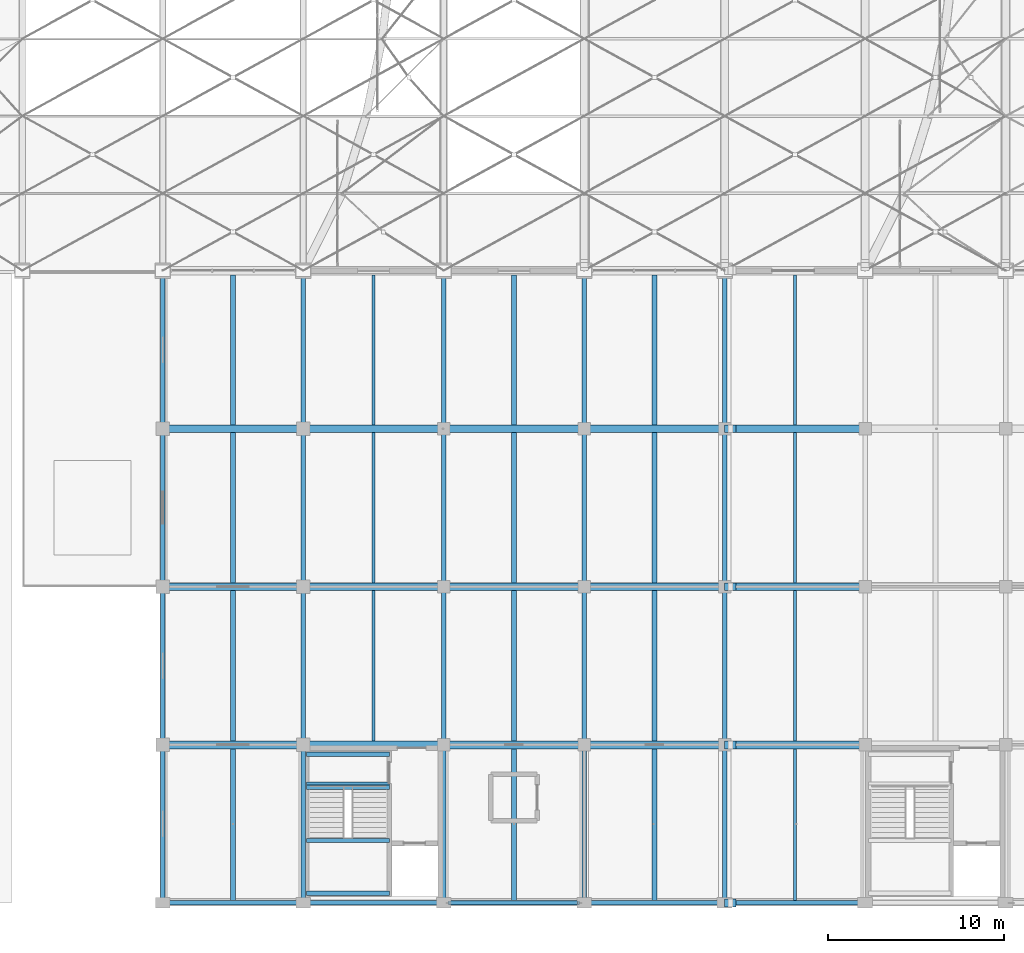
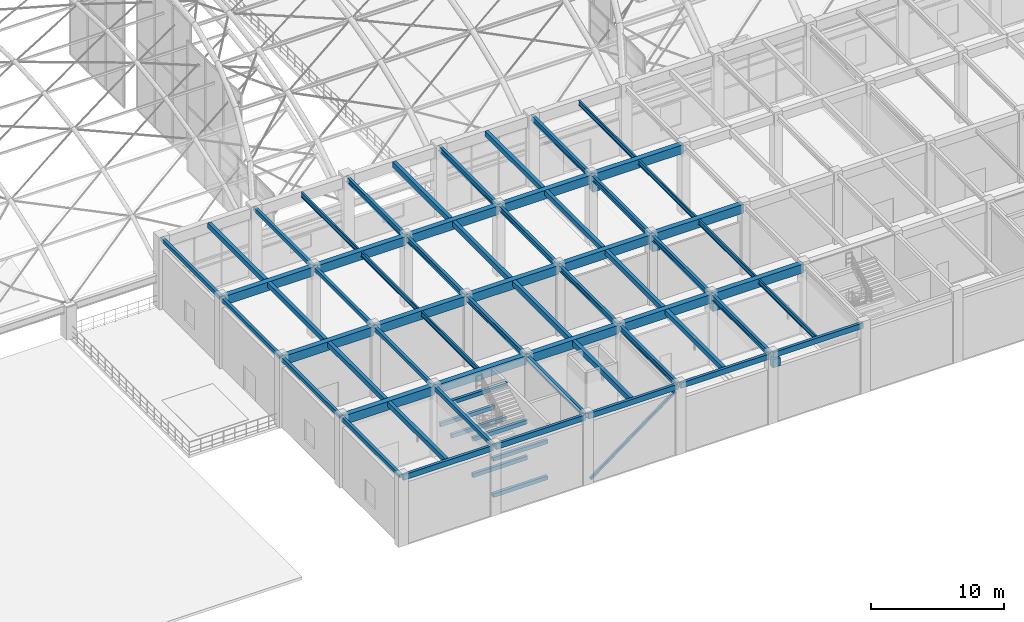
# One storey, part 8 of 163: 70 beams, 1 member.
"""IFC4 building model written with IfcOpenShell, lengths in metres."""

from ifc_helpers import new_model, si_unit, direction, frame, origin, origin_2d, place, context, subcontext, project, spatial, rectangle, hollow_rectangle, i_section, extrude, material, material_profile, profile_set, type_object, element, save


model = new_model("IFC4")

# Units and contexts
model_context = context("Model", 3, precision=1e-05, world=origin(), true_north=direction((0.0, 1.0)))
body_context = subcontext(model_context, "Body", "Model", "MODEL_VIEW")
ifc_project = project(units=[si_unit("LENGTHUNIT", "METRE"), si_unit("AREAUNIT", "SQUARE_METRE"), si_unit("VOLUMEUNIT", "CUBIC_METRE"), si_unit("PLANEANGLEUNIT", "RADIAN"), si_unit("MASSUNIT", "GRAM", prefix="KILO")], contexts=[model_context])

# Site, building, storey
site_placement = place(None, origin())
site = spatial("IfcSite", under=ifc_project, at=site_placement, CompositionType="ELEMENT")
building_placement = place(site_placement, origin())
building = spatial("IfcBuilding", under=site, at=building_placement, Name="Varnabhumi Central Station", CompositionType="ELEMENT")
storey_placement = place(building_placement, frame((0.0, 0.0, 9.60009765625)))
storey = spatial("IfcBuildingStorey", under=building, at=storey_placement, Name="L02", CompositionType="ELEMENT", Elevation=9.60009765625)

# Beams
ifc_material_1 = material(Name="Structural steel E350", Category="steel")
ifc_material_profile_1 = material_profile(ifc_material_1, i_section(OverallWidth=0.14990234375, OverallDepth=0.449951171875, WebThickness=0.009521484375, FlangeThickness=0.017333984375, FilletRadius=0.014892578125, at=origin_2d()), Name="Structural steel E350", Category="steel")
ifc_profile_set_1 = profile_set([ifc_material_profile_1], Name="Structural steel E350")
beam_type_1 = type_object("IfcBeamType", Name="BM-JST-ISMB450", PredefinedType="JOIST", material=ifc_profile_set_1)
beam_1_placement = place(storey_placement, frame((68.0, 0.125, 6.125), z_axis=(0.0, 1.0, 0.0), x_axis=(-1.0, 0.0, 0.0)))
element("IfcBeam", 1, at=beam_1_placement, inside=storey, type_object=beam_type_1, Name="Secondary Joist L02-9/10:A-B", PredefinedType="JOIST", context=body_context, shape_type="SweptSolid", body=[
    extrude(i_section(OverallWidth=0.14990234375, OverallDepth=0.449951171875, WebThickness=0.009521484375, FlangeThickness=0.017333984375, FilletRadius=0.014892578125, at=origin_2d()), origin(), (0.0, 0.0, 1.0), 8.64990234375),
])
for number, where, z_axis, x_axis, name in (
    (2, (44.0, 9.22509765625, 6.125), (0.0, 1.0, 0.0), (-1.0, 0.0, 0.0), "Secondary Joist L02-6/7:B-C"),
    (3, (68.0, 9.22509765625, 6.125), (0.0, 1.0, 0.0), (-1.0, 0.0, 0.0), "Secondary Joist L02-9/10:B-C"),
    (4, (44.0, 18.22509765625, 6.125), (0.0, 1.0, 0.0), (-1.0, 0.0, 0.0), "Secondary Joist L02-6/7:C-D"),
    (5, (68.0, 18.22509765625, 6.125), (0.0, 1.0, 0.0), (-1.0, 0.0, 0.0), "Secondary Joist L02-9/10:C-D"),
):
    element("IfcBeam", number, at=place(storey_placement, frame(where, z_axis=z_axis, x_axis=x_axis)), inside=storey, type_object=beam_type_1, Name=name, PredefinedType="JOIST", context=body_context, shape_type="SweptSolid", body=[
        extrude(i_section(OverallWidth=0.14990234375, OverallDepth=0.449951171875, WebThickness=0.009521484375, FlangeThickness=0.017333984375, FilletRadius=0.014892578125, at=origin_2d()), origin(), (0.0, 0.0, 1.0), 8.5498046875),
    ])
for number, where, z_axis, x_axis, name in (
    (6, (44.0, 27.22509765625, 6.125), (0.0, 1.0, 0.0), (-1.0, 0.0, 0.0), "Secondary Joist L02-6/7:D-E"),
    (7, (68.0, 27.22509765625, 6.125), (0.0, 1.0, 0.0), (-1.0, 0.0, 0.0), "Secondary Joist L02-9/10:D-E"),
):
    element("IfcBeam", number, at=place(storey_placement, frame(where, z_axis=z_axis, x_axis=x_axis)), inside=storey, type_object=beam_type_1, Name=name, PredefinedType="JOIST", context=body_context, shape_type="SweptSolid", body=[
        extrude(i_section(OverallWidth=0.14990234375, OverallDepth=0.449951171875, WebThickness=0.009521484375, FlangeThickness=0.017333984375, FilletRadius=0.014892578125, at=origin_2d()), origin(), (0.0, 0.0, 1.0), 8.52490234375),
    ])
ifc_material_2 = material(Name="Concrete M35", Category="concrete")
ifc_material_profile_2 = material_profile(ifc_material_2, rectangle(XDim=0.25, YDim=0.35009765625, at=origin_2d()), Name="Concrete M35", Category="concrete")
ifc_profile_set_2 = profile_set([ifc_material_profile_2], Name="Concrete M35")
beam_type_2 = type_object("IfcBeamType", Name="BM-RC-250x350", PredefinedType="LINTEL", material=ifc_profile_set_2)
for number, where, z_axis, x_axis, name in (
    (8, (32.0, 0.10009765625, 6.1748046875), (0.0, 1.0, 0.0), (-1.0, 0.0, 0.0), "Beam L02-5:A-B"),
    (9, (40.0, 0.10009765625, 6.1748046875), (0.0, 1.0, 0.0), (-1.0, 0.0, 0.0), "Beam L02-6:A-B"),
    (10, (32.0, 9.10009765625, 6.1748046875), (0.0, 1.0, 0.0), (-1.0, 0.0, 0.0), "Beam L02-5:B-C"),
    (11, (40.0, 9.10009765625, 6.1748046875), (0.0, 1.0, 0.0), (-1.0, 0.0, 0.0), "Beam L02-6:B-C"),
    (12, (32.0, 18.10009765625, 6.1748046875), (0.0, 1.0, 0.0), (-1.0, 0.0, 0.0), "Beam L02-5:C-D"),
    (13, (40.0, 18.10009765625, 6.1748046875), (0.0, 1.0, 0.0), (-1.0, 0.0, 0.0), "Beam L02-6:C-D"),
    (14, (32.0, 27.10009765625, 6.1748046875), (0.0, 1.0, 0.0), (-1.0, 0.0, 0.0), "Beam L02-5:D-E"),
    (15, (40.0, 27.10009765625, 6.1748046875), (0.0, 1.0, 0.0), (-1.0, 0.0, 0.0), "Beam L02-6:D-E"),
):
    element("IfcBeam", number, at=place(storey_placement, frame(where, z_axis=z_axis, x_axis=x_axis)), inside=storey, type_object=beam_type_2, Name=name, PredefinedType="LINTEL", context=body_context, shape_type="SweptSolid", body=[
        extrude(rectangle(XDim=0.25, YDim=0.35009765625, at=origin_2d()), origin(), (0.0, 0.0, 1.0), 8.7998046875),
    ])
for number, where, z_axis, x_axis, name in (
    (16, (40.179931640625, 0.5400390625, 1.294921875), (1.0, 0.0, 0.0), (0.0, 1.0, 0.0), "ST-S1 L02 Quarter Landing 1 Support Beam 1"),
    (17, (40.179931640625, 3.550048828125, 1.294921875), (1.0, 0.0, 0.0), (0.0, 1.0, 0.0), "ST-S1 L02 Quarter Landing 1 Support Beam 2"),
    (18, (40.179931640625, 6.760009765625, 2.94482421875), (1.0, 0.0, 0.0), (0.0, 1.0, 0.0), "ST-S1 L02 Mid-Height Landing Support Beam 1"),
    (19, (40.179931640625, 8.4599609375, 2.94482421875), (1.0, 0.0, 0.0), (0.0, 1.0, 0.0), "ST-S1 L02 Mid-Height Landing Support Beam 2"),
    (20, (40.179931640625, 0.5400390625, 4.594970703125), (1.0, 0.0, 0.0), (0.0, 1.0, 0.0), "ST-S1 L02 Quarter Landing 3 Support Beam 1"),
    (21, (40.179931640625, 3.550048828125, 4.594970703125), (1.0, 0.0, 0.0), (0.0, 1.0, 0.0), "ST-S1 L02 Quarter Landing 3 Support Beam 2"),
    (22, (40.179931640625, 6.580078125, 6.1748046875), (1.0, 0.0, 0.0), (0.0, 1.0, 0.0), "ST-S1 L02 Floor Opening Trimmer Beam"),
):
    element("IfcBeam", number, at=place(storey_placement, frame(where, z_axis=z_axis, x_axis=x_axis)), inside=storey, type_object=beam_type_2, Name=name, PredefinedType="LINTEL", context=body_context, shape_type="SweptSolid", body=[
        extrude(rectangle(XDim=0.25, YDim=0.35009765625, at=origin_2d()), origin(), (0.0, 0.0, 1.0), 4.719970703125),
    ])
ifc_material_3 = material(Name="Concrete M40", Category="concrete")
ifc_material_profile_3 = material_profile(ifc_material_3, rectangle(XDim=0.25, YDim=0.5, at=origin_2d()), Name="Concrete M40", Category="concrete")
ifc_profile_set_3 = profile_set([ifc_material_profile_3], Name="Concrete M40")
beam_type_3 = type_object("IfcBeamType", Name="BM-RC-250x500", PredefinedType="SPANDREL", material=ifc_profile_set_3)
for number, where, z_axis, x_axis, name in (
    (23, (32.10009765625, 0.0, 6.099853515625), (1.0, 0.0, 0.0), (0.0, 1.0, 0.0), "Beam L02-A:5-6"),
    (24, (40.10009765625, 0.0, 6.099853515625), (1.0, 0.0, 0.0), (0.0, 1.0, 0.0), "Beam L02-A:6-7"),
    (25, (48.10009765625, 0.0, 6.099853515625), (1.0, 0.0, 0.0), (0.0, 1.0, 0.0), "Beam L02-A:7-8"),
    (26, (56.10009765625, 0.0, 6.099853515625), (1.0, 0.0, 0.0), (0.0, 1.0, 0.0), "Beam L02-A:8-9"),
    (27, (64.10009765625, 0.0, 6.099853515625), (1.0, 0.0, 0.0), (0.0, 1.0, 0.0), "Beam L02-A:9-10"),
):
    element("IfcBeam", number, at=place(storey_placement, frame(where, z_axis=z_axis, x_axis=x_axis)), inside=storey, type_object=beam_type_3, Name=name, PredefinedType="SPANDREL", context=body_context, shape_type="SweptSolid", body=[
        extrude(rectangle(XDim=0.25, YDim=0.5, at=origin_2d()), origin(), (0.0, 0.0, 1.0), 7.7998046875),
    ])
ifc_material_profile_4 = material_profile(ifc_material_3, rectangle(XDim=0.300048828125, YDim=0.449951171875, at=origin_2d()), Name="Concrete M40", Category="concrete")
ifc_profile_set_4 = profile_set([ifc_material_profile_4], Name="Concrete M40")
beam_type_4 = type_object("IfcBeamType", Name="BM-RC-300x450", PredefinedType="JOIST", material=ifc_profile_set_4)
for number, where, z_axis, x_axis, name in (
    (28, (36.0, 0.125, 6.125), (0.0, 1.0, 0.0), (-1.0, 0.0, 0.0), "Secondary Joist L02-5/6:A-B"),
    (29, (60.0, 0.125, 6.125), (0.0, 1.0, 0.0), (-1.0, 0.0, 0.0), "Secondary Joist L02-8/9:A-B"),
):
    element("IfcBeam", number, at=place(storey_placement, frame(where, z_axis=z_axis, x_axis=x_axis)), inside=storey, type_object=beam_type_4, Name=name, PredefinedType="JOIST", context=body_context, shape_type="SweptSolid", body=[
        extrude(rectangle(XDim=0.300048828125, YDim=0.449951171875, at=origin_2d()), origin(), (0.0, 0.0, 1.0), 8.64990234375),
    ])
for number, where, z_axis, x_axis, name in (
    (30, (36.0, 9.22509765625, 6.125), (0.0, 1.0, 0.0), (-1.0, 0.0, 0.0), "Secondary Joist L02-5/6:B-C"),
    (31, (60.0, 9.22509765625, 6.125), (0.0, 1.0, 0.0), (-1.0, 0.0, 0.0), "Secondary Joist L02-8/9:B-C"),
    (32, (36.0, 18.22509765625, 6.125), (0.0, 1.0, 0.0), (-1.0, 0.0, 0.0), "Secondary Joist L02-5/6:C-D"),
    (33, (60.0, 18.22509765625, 6.125), (0.0, 1.0, 0.0), (-1.0, 0.0, 0.0), "Secondary Joist L02-8/9:C-D"),
):
    element("IfcBeam", number, at=place(storey_placement, frame(where, z_axis=z_axis, x_axis=x_axis)), inside=storey, type_object=beam_type_4, Name=name, PredefinedType="JOIST", context=body_context, shape_type="SweptSolid", body=[
        extrude(rectangle(XDim=0.300048828125, YDim=0.449951171875, at=origin_2d()), origin(), (0.0, 0.0, 1.0), 8.5498046875),
    ])
for number, where, z_axis, x_axis, name in (
    (34, (36.0, 27.22509765625, 6.125), (0.0, 1.0, 0.0), (-1.0, 0.0, 0.0), "Secondary Joist L02-5/6:D-E"),
    (35, (60.0, 27.22509765625, 6.125), (0.0, 1.0, 0.0), (-1.0, 0.0, 0.0), "Secondary Joist L02-8/9:D-E"),
):
    element("IfcBeam", number, at=place(storey_placement, frame(where, z_axis=z_axis, x_axis=x_axis)), inside=storey, type_object=beam_type_4, Name=name, PredefinedType="JOIST", context=body_context, shape_type="SweptSolid", body=[
        extrude(rectangle(XDim=0.300048828125, YDim=0.449951171875, at=origin_2d()), origin(), (0.0, 0.0, 1.0), 8.52490234375),
    ])
ifc_material_profile_5 = material_profile(ifc_material_3, rectangle(XDim=0.300048828125, YDim=0.5, at=origin_2d()), Name="Concrete M40", Category="concrete")
ifc_profile_set_5 = profile_set([ifc_material_profile_5], Name="Concrete M40")
beam_type_5 = type_object("IfcBeamType", Name="BM-RC-300x500", PredefinedType="JOIST", material=ifc_profile_set_5)
beam_2_placement = place(storey_placement, frame((52.0, 0.125, 6.099853515625), z_axis=(0.0, 1.0, 0.0), x_axis=(-1.0, 0.0, 0.0)))
element("IfcBeam", 36, at=beam_2_placement, inside=storey, type_object=beam_type_5, Name="Secondary Joist L02-7/8:A-B", PredefinedType="JOIST", context=body_context, shape_type="SweptSolid", body=[
    extrude(rectangle(XDim=0.300048828125, YDim=0.5, at=origin_2d()), origin(), (0.0, 0.0, 1.0), 8.64990234375),
])
for number, where, z_axis, x_axis, name in (
    (37, (52.0, 9.22509765625, 6.099853515625), (0.0, 1.0, 0.0), (-1.0, 0.0, 0.0), "Secondary Joist L02-7/8:B-C"),
    (38, (52.0, 18.22509765625, 6.099853515625), (0.0, 1.0, 0.0), (-1.0, 0.0, 0.0), "Secondary Joist L02-7/8:C-D"),
):
    element("IfcBeam", number, at=place(storey_placement, frame(where, z_axis=z_axis, x_axis=x_axis)), inside=storey, type_object=beam_type_5, Name=name, PredefinedType="JOIST", context=body_context, shape_type="SweptSolid", body=[
        extrude(rectangle(XDim=0.300048828125, YDim=0.5, at=origin_2d()), origin(), (0.0, 0.0, 1.0), 8.5498046875),
    ])
beam_3_placement = place(storey_placement, frame((52.0, 27.22509765625, 6.099853515625), z_axis=(0.0, 1.0, 0.0), x_axis=(-1.0, 0.0, 0.0)))
element("IfcBeam", 39, at=beam_3_placement, inside=storey, type_object=beam_type_5, Name="Secondary Joist L02-7/8:D-E", PredefinedType="JOIST", context=body_context, shape_type="SweptSolid", body=[
    extrude(rectangle(XDim=0.300048828125, YDim=0.5, at=origin_2d()), origin(), (0.0, 0.0, 1.0), 8.52490234375),
])
ifc_material_profile_6 = material_profile(ifc_material_3, rectangle(XDim=0.449951171875, YDim=0.75, at=origin_2d()), Name="Concrete M40", Category="concrete")
ifc_profile_set_6 = profile_set([ifc_material_profile_6], Name="Concrete M40")
beam_type_6 = type_object("IfcBeamType", Name="BM-RC-450x750", PredefinedType="BEAM", material=ifc_profile_set_6)
for number, where, z_axis, x_axis, name in (
    (40, (64.0, 0.0, 5.39501953125), (1.0, 0.0, 0.0), (0.0, 1.0, 0.0), "Movement Joint 650mm Corbel Seat L02-A-9"),
    (41, (64.0, 9.0, 5.094970703125), (1.0, 0.0, 0.0), (0.0, 1.0, 0.0), "Movement Joint 650mm Corbel Seat L02-B-9"),
    (42, (64.0, 18.0, 5.094970703125), (1.0, 0.0, 0.0), (0.0, 1.0, 0.0), "Movement Joint 650mm Corbel Seat L02-C-9"),
    (43, (64.0, 27.0, 5.094970703125), (1.0, 0.0, 0.0), (0.0, 1.0, 0.0), "Movement Joint 650mm Corbel Seat L02-D-9"),
):
    element("IfcBeam", number, at=place(storey_placement, frame(where, z_axis=z_axis, x_axis=x_axis)), inside=storey, type_object=beam_type_6, Name=name, PredefinedType="BEAM", context=body_context, shape_type="SweptSolid", body=[
        extrude(rectangle(XDim=0.449951171875, YDim=0.75, at=origin_2d()), origin(), (0.0, 0.0, 1.0), 0.64990234375),
    ])
ifc_material_profile_7 = material_profile(ifc_material_3, rectangle(XDim=0.449951171875, YDim=0.800048828125, at=origin_2d()), Name="Concrete M40", Category="concrete")
ifc_profile_set_7 = profile_set([ifc_material_profile_7], Name="Concrete M40")
beam_type_7 = type_object("IfcBeamType", Name="BM-RC-450x800", PredefinedType="BEAM", material=ifc_profile_set_7)
for number, where, z_axis, x_axis, name in (
    (44, (32.10009765625, 9.0, 5.949951171875), (1.0, 0.0, 0.0), (0.0, 1.0, 0.0), "Beam L02-B:5-6"),
    (45, (32.10009765625, 18.0, 5.949951171875), (1.0, 0.0, 0.0), (0.0, 1.0, 0.0), "Beam L02-C:5-6"),
    (46, (32.10009765625, 27.0, 5.949951171875), (1.0, 0.0, 0.0), (0.0, 1.0, 0.0), "Beam L02-D:5-6"),
    (47, (40.10009765625, 9.0, 5.949951171875), (1.0, 0.0, 0.0), (0.0, 1.0, 0.0), "Beam L02-B:6-7"),
    (48, (40.10009765625, 18.0, 5.949951171875), (1.0, 0.0, 0.0), (0.0, 1.0, 0.0), "Beam L02-C:6-7"),
    (49, (40.10009765625, 27.0, 5.949951171875), (1.0, 0.0, 0.0), (0.0, 1.0, 0.0), "Beam L02-D:6-7"),
    (50, (48.10009765625, 9.0, 5.949951171875), (1.0, 0.0, 0.0), (0.0, 1.0, 0.0), "Beam L02-B:7-8"),
    (51, (48.10009765625, 18.0, 5.949951171875), (1.0, 0.0, 0.0), (0.0, 1.0, 0.0), "Beam L02-C:7-8"),
    (52, (48.10009765625, 27.0, 5.949951171875), (1.0, 0.0, 0.0), (0.0, 1.0, 0.0), "Beam L02-D:7-8"),
    (53, (56.10009765625, 9.0, 5.949951171875), (1.0, 0.0, 0.0), (0.0, 1.0, 0.0), "Beam L02-B:8-9"),
    (54, (56.10009765625, 18.0, 5.949951171875), (1.0, 0.0, 0.0), (0.0, 1.0, 0.0), "Beam L02-C:8-9"),
    (55, (56.10009765625, 27.0, 5.949951171875), (1.0, 0.0, 0.0), (0.0, 1.0, 0.0), "Beam L02-D:8-9"),
    (56, (64.10009765625, 9.0, 5.949951171875), (1.0, 0.0, 0.0), (0.0, 1.0, 0.0), "Beam L02-B:9-10"),
    (57, (64.10009765625, 18.0, 5.949951171875), (1.0, 0.0, 0.0), (0.0, 1.0, 0.0), "Beam L02-C:9-10"),
    (58, (64.10009765625, 27.0, 5.949951171875), (1.0, 0.0, 0.0), (0.0, 1.0, 0.0), "Beam L02-D:9-10"),
):
    element("IfcBeam", number, at=place(storey_placement, frame(where, z_axis=z_axis, x_axis=x_axis)), inside=storey, type_object=beam_type_7, Name=name, PredefinedType="BEAM", context=body_context, shape_type="SweptSolid", body=[
        extrude(rectangle(XDim=0.449951171875, YDim=0.800048828125, at=origin_2d()), origin(), (0.0, 0.0, 1.0), 7.7998046875),
    ])
ifc_material_profile_8 = material_profile(ifc_material_1, i_section(OverallWidth=0.25, OverallDepth=0.5, WebThickness=0.010009765625, FlangeThickness=0.0146484375, FilletRadius=0.014892578125, at=origin_2d()), Name="Structural steel E350", Category="steel")
ifc_profile_set_8 = profile_set([ifc_material_profile_8], Name="Structural steel E350")
beam_type_8 = type_object("IfcBeamType", Name="BM-SEC-ISWB500", PredefinedType="BEAM", material=ifc_profile_set_8)
for number, where, z_axis, x_axis, name in (
    (59, (48.0, 0.10009765625, 6.099853515625), (0.0, 1.0, 0.0), (-1.0, 0.0, 0.0), "Beam L02-7:A-B"),
    (60, (56.0, 0.10009765625, 6.099853515625), (0.0, 1.0, 0.0), (-1.0, 0.0, 0.0), "Beam L02-8:A-B"),
    (61, (64.0, 0.10009765625, 6.099853515625), (0.0, 1.0, 0.0), (-1.0, 0.0, 0.0), "Beam L02-9:A-B"),
    (62, (48.0, 9.10009765625, 6.099853515625), (0.0, 1.0, 0.0), (-1.0, 0.0, 0.0), "Beam L02-7:B-C"),
    (63, (56.0, 9.10009765625, 6.099853515625), (0.0, 1.0, 0.0), (-1.0, 0.0, 0.0), "Beam L02-8:B-C"),
    (64, (64.0, 9.10009765625, 6.099853515625), (0.0, 1.0, 0.0), (-1.0, 0.0, 0.0), "Beam L02-9:B-C"),
    (65, (48.0, 18.10009765625, 6.099853515625), (0.0, 1.0, 0.0), (-1.0, 0.0, 0.0), "Beam L02-7:C-D"),
    (66, (56.0, 18.10009765625, 6.099853515625), (0.0, 1.0, 0.0), (-1.0, 0.0, 0.0), "Beam L02-8:C-D"),
    (67, (64.0, 18.10009765625, 6.099853515625), (0.0, 1.0, 0.0), (-1.0, 0.0, 0.0), "Beam L02-9:C-D"),
    (68, (48.0, 27.10009765625, 6.099853515625), (0.0, 1.0, 0.0), (-1.0, 0.0, 0.0), "Beam L02-7:D-E"),
    (69, (56.0, 27.10009765625, 6.099853515625), (0.0, 1.0, 0.0), (-1.0, 0.0, 0.0), "Beam L02-8:D-E"),
    (70, (64.0, 27.10009765625, 6.099853515625), (0.0, 1.0, 0.0), (-1.0, 0.0, 0.0), "Beam L02-9:D-E"),
):
    element("IfcBeam", number, at=place(storey_placement, frame(where, z_axis=z_axis, x_axis=x_axis)), inside=storey, type_object=beam_type_8, Name=name, PredefinedType="BEAM", context=body_context, shape_type="SweptSolid", body=[
        extrude(i_section(OverallWidth=0.25, OverallDepth=0.5, WebThickness=0.010009765625, FlangeThickness=0.0146484375, FilletRadius=0.014892578125, at=origin_2d()), origin(), (0.0, 0.0, 1.0), 8.7998046875),
    ])

# Member
ifc_material_profile_9 = material_profile(ifc_material_1, hollow_rectangle(XDim=0.219970703125, YDim=0.219970703125, WallThickness=0.010009765625, InnerFilletRadius=0.010009765625, OuterFilletRadius=0.02001953125, at=origin_2d()), Name="Structural steel E350", Category="steel")
ifc_profile_set_9 = profile_set([ifc_material_profile_9], Name="Structural steel E350")
member_type = type_object("IfcMemberType", Name="MBR-BRACE-SHS220", PredefinedType="BRACE", material=ifc_profile_set_9)
member_placement = place(storey_placement, frame((48.320068359375, 0.0, 0.25), z_axis=(0.803651161505, 0.0, 0.595100672669), x_axis=(0.0, 1.0, 0.0)))
element("IfcMember", 71, at=member_placement, inside=storey, type_object=member_type, Name="Lateral Frame Brace WB-3", PredefinedType="BRACE", context=body_context, shape_type="SweptSolid", body=[
    extrude(hollow_rectangle(XDim=0.219970703125, YDim=0.219970703125, WallThickness=0.010009765625, InnerFilletRadius=0.010009765625, OuterFilletRadius=0.02001953125, at=origin_2d()), origin(), (0.0, 0.0, 1.0), 9.157958984375),
])

save(model, "model.ifc")
